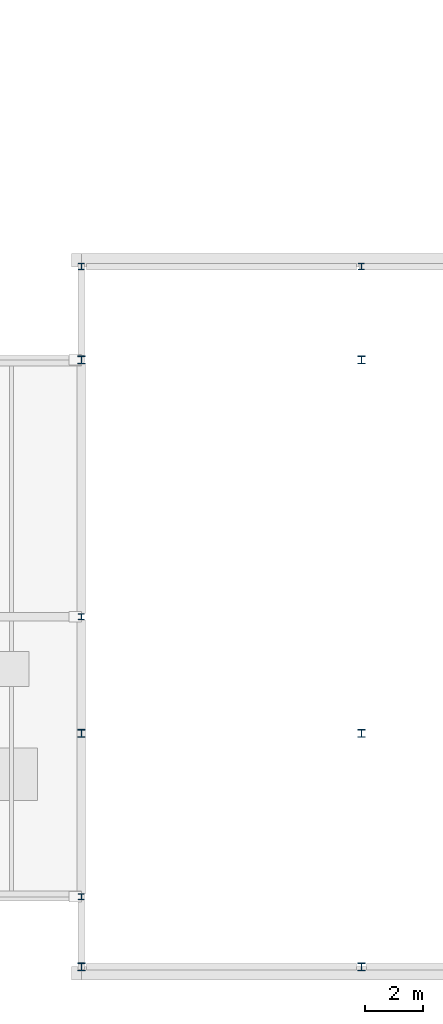
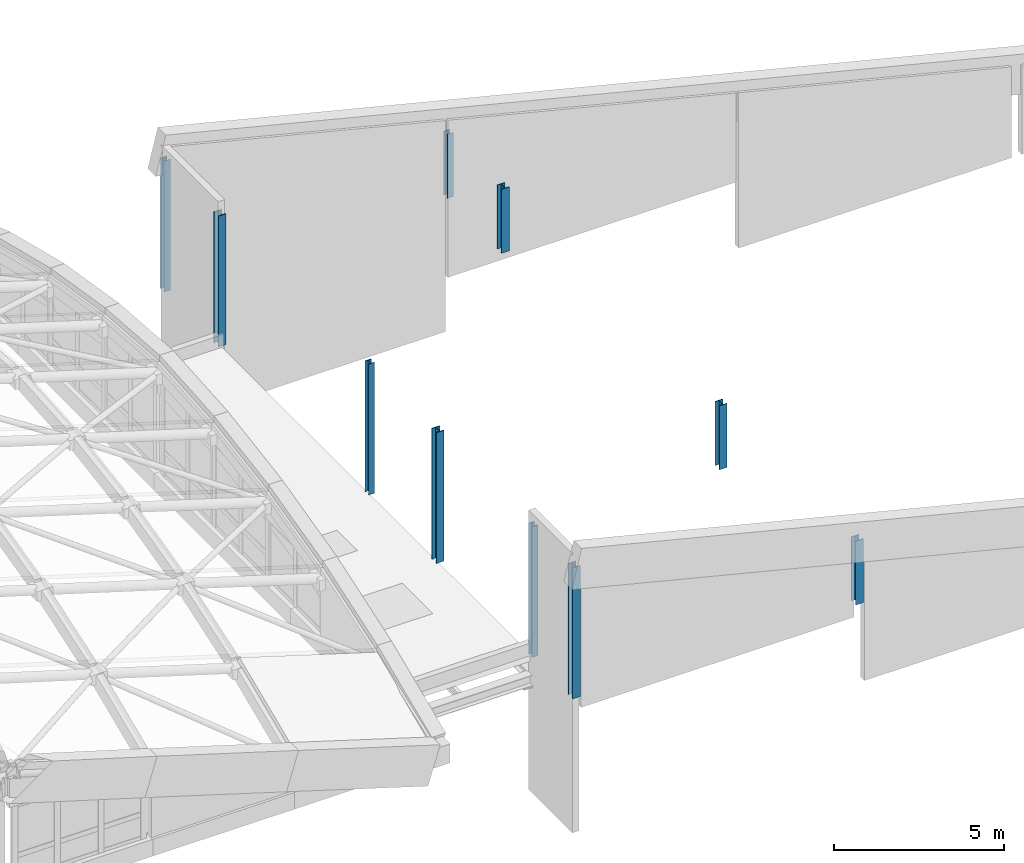
# One storey, part 1 of 14: 10 columns.
"""IFC4 building model written with IfcOpenShell, lengths in metres."""

from ifc_helpers import new_model, si_unit, direction, frame, origin, origin_2d, place, context, subcontext, project, spatial, i_section, extrude, material, material_profile, profile_set, type_object, element, save


model = new_model("IFC4")

# Units and contexts
model_context = context("Model", 3, precision=1e-05, world=origin(), true_north=direction((0.0, 1.0)))
body_context = subcontext(model_context, "Body", "Model", "MODEL_VIEW")
ifc_project = project(units=[si_unit("LENGTHUNIT", "METRE"), si_unit("AREAUNIT", "SQUARE_METRE"), si_unit("VOLUMEUNIT", "CUBIC_METRE"), si_unit("PLANEANGLEUNIT", "RADIAN"), si_unit("MASSUNIT", "GRAM", prefix="KILO")], contexts=[model_context])

# Site, building, storey
site_placement = place(None, origin())
site = spatial("IfcSite", under=ifc_project, at=site_placement, CompositionType="ELEMENT")
building_placement = place(site_placement, origin())
building = spatial("IfcBuilding", under=site, at=building_placement, Name="Dunescarp Central Library", CompositionType="ELEMENT")
storey_placement = place(building_placement, frame((0.0, 0.0, 31.800048828125)))
storey = spatial("IfcBuildingStorey", under=building, at=storey_placement, Name="ROOF", CompositionType="ELEMENT", Elevation=31.800048828125)

# Columns
ifc_material = material(Name="Steel S355JR", Category="steel")
ifc_material_profile_1 = material_profile(ifc_material, i_section(OverallWidth=0.206298828125, OverallDepth=0.2158203125, WebThickness=0.010009765625, FlangeThickness=0.017333984375, at=origin_2d()), Name="UC 203x203x71")
ifc_profile_set_1 = profile_set([ifc_material_profile_1], Name="Steel S355JR")
column_type_1 = type_object("IfcColumnType", Name="STR-COL-UC203X71", PredefinedType="COLUMN", material=ifc_profile_set_1)
column_1_placement = place(storey_placement, frame((38.39990234375, 28.800048828125, 0.0), z_axis=(0.0, 0.0, 1.0), x_axis=(1.0, 0.0, 0.0)))
element("IfcColumn", 1, at=column_1_placement, inside=storey, type_object=column_type_1, Name="ROOF column V2N5-384", PredefinedType="COLUMN", context=body_context, shape_type="SweptSolid", body=[
    extrude(i_section(OverallWidth=0.206298828125, OverallDepth=0.2158203125, WebThickness=0.010009765625, FlangeThickness=0.017333984375, at=origin_2d()), origin(), (0.0, 0.0, 1.0), 4.69287109375),
])
column_2_placement = place(storey_placement, frame((48.0, 28.800048828125, 0.0), z_axis=(0.0, 0.0, 1.0), x_axis=(1.0, 0.0, 0.0)))
element("IfcColumn", 2, at=column_2_placement, inside=storey, type_object=column_type_1, Name="ROOF column V2N5-480", PredefinedType="COLUMN", context=body_context, shape_type="SweptSolid", body=[
    extrude(i_section(OverallWidth=0.206298828125, OverallDepth=0.2158203125, WebThickness=0.010009765625, FlangeThickness=0.017333984375, at=origin_2d()), origin(), (0.0, 0.0, 1.0), 2.29296875),
])
for number, where, z_axis, x_axis, name in (
    (3, (38.39990234375, 7.199951171875, 0.0), (0.0, 0.0, 1.0), (1.0, 0.0, 0.0), "ROOF column V2L-384-72"),
    (4, (38.39990234375, 16.800048828125, 0.0), (0.0, 0.0, 1.0), (1.0, 0.0, 0.0), "ROOF column V2L-384-168"),
):
    element("IfcColumn", number, at=place(storey_placement, frame(where, z_axis=z_axis, x_axis=x_axis)), inside=storey, type_object=column_type_1, Name=name, PredefinedType="COLUMN", context=body_context, shape_type="SweptSolid", body=[
        extrude(i_section(OverallWidth=0.206298828125, OverallDepth=0.2158203125, WebThickness=0.010009765625, FlangeThickness=0.017333984375, at=origin_2d()), origin(), (0.0, 0.0, 1.0), 4.69287109375),
    ])
ifc_material_profile_2 = material_profile(ifc_material, i_section(OverallWidth=0.26123046875, OverallDepth=0.2763671875, WebThickness=0.015380859375, FlangeThickness=0.025390625, at=origin_2d()), Name="UC 254x254x132")
ifc_profile_set_2 = profile_set([ifc_material_profile_2], Name="Steel S355JR")
column_type_2 = type_object("IfcColumnType", Name="STR-COL-UC254X132", PredefinedType="COLUMN", material=ifc_profile_set_2)
for number, where, z_axis, x_axis, name in (
    (5, (38.39990234375, 4.800048828125, 0.0), (0.0, 0.0, 1.0), (1.0, 0.0, 0.0), "ROOF column V2-384-48"),
    (6, (38.39990234375, 12.800048828125, 0.0), (0.0, 0.0, 1.0), (1.0, 0.0, 0.0), "ROOF column V2-384-128"),
    (7, (38.39990234375, 25.60009765625, 0.0), (0.0, 0.0, 1.0), (1.0, 0.0, 0.0), "ROOF column V2-384-256"),
):
    element("IfcColumn", number, at=place(storey_placement, frame(where, z_axis=z_axis, x_axis=x_axis)), inside=storey, type_object=column_type_2, Name=name, PredefinedType="COLUMN", context=body_context, shape_type="SweptSolid", body=[
        extrude(i_section(OverallWidth=0.26123046875, OverallDepth=0.2763671875, WebThickness=0.015380859375, FlangeThickness=0.025390625, at=origin_2d()), origin(), (0.0, 0.0, 1.0), 4.69287109375),
    ])
for number, where, z_axis, x_axis, name in (
    (8, (48.0, 4.800048828125, 0.0), (0.0, 0.0, 1.0), (1.0, 0.0, 0.0), "ROOF column V2-480-48"),
    (9, (48.0, 12.800048828125, 0.0), (0.0, 0.0, 1.0), (1.0, 0.0, 0.0), "ROOF column V2-480-128"),
    (10, (48.0, 25.60009765625, 0.0), (0.0, 0.0, 1.0), (1.0, 0.0, 0.0), "ROOF column V2-480-256"),
):
    element("IfcColumn", number, at=place(storey_placement, frame(where, z_axis=z_axis, x_axis=x_axis)), inside=storey, type_object=column_type_2, Name=name, PredefinedType="COLUMN", context=body_context, shape_type="SweptSolid", body=[
        extrude(i_section(OverallWidth=0.26123046875, OverallDepth=0.2763671875, WebThickness=0.015380859375, FlangeThickness=0.025390625, at=origin_2d()), origin(), (0.0, 0.0, 1.0), 2.29296875),
    ])

save(model, "model.ifc")
